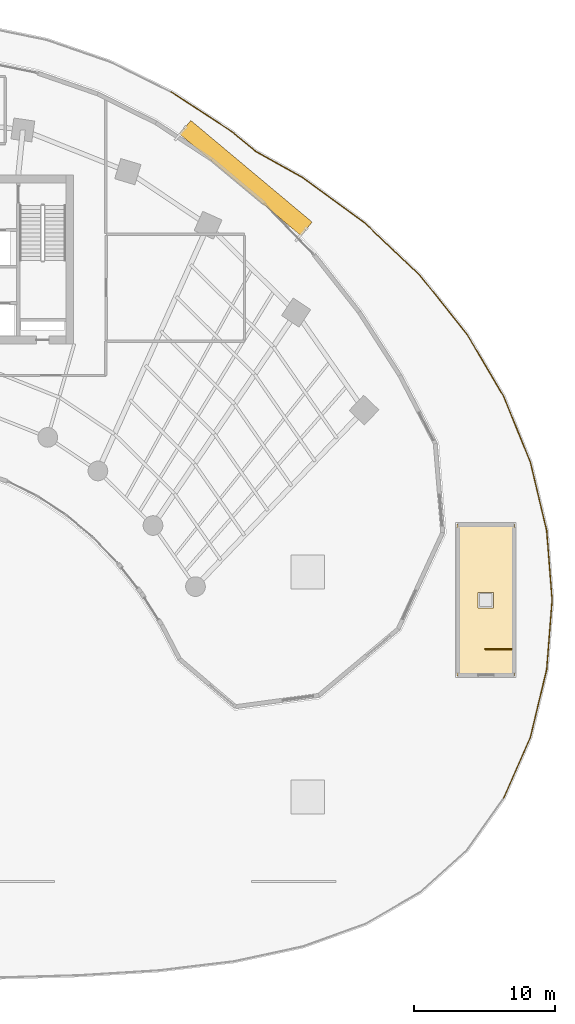
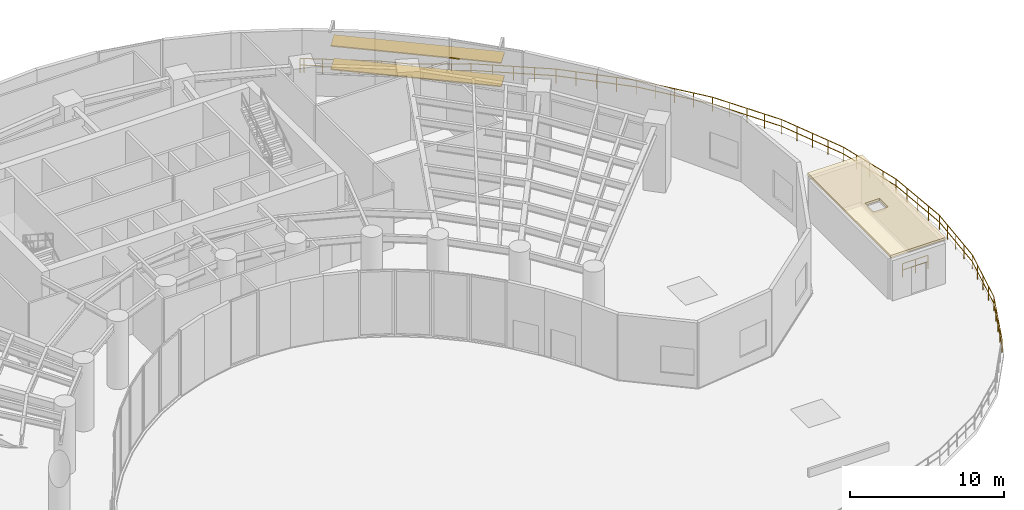
# One storey, part 17 of 17: 3 railings, 2 shading devices, 1 covering.
"""IFC4 building model written with IfcOpenShell, lengths in metres."""

from ifc_helpers import new_model, si_unit, direction, frame, origin, origin_2d, place, context, subcontext, project, spatial, polyline, rectangle, outline, extrude, source, transform, mapped, material, layer, layer_set, material_profile, profile_set, type_object, element, save


model = new_model("IFC4")

# Units and contexts
model_context = context("Model", 3, precision=1e-05, world=origin(), true_north=direction((0.0, 1.0)))
body_context = subcontext(model_context, "Body", "Model", "MODEL_VIEW")
ifc_project = project(units=[si_unit("LENGTHUNIT", "METRE"), si_unit("AREAUNIT", "SQUARE_METRE"), si_unit("VOLUMEUNIT", "CUBIC_METRE"), si_unit("PLANEANGLEUNIT", "RADIAN"), si_unit("MASSUNIT", "GRAM", prefix="KILO")], contexts=[model_context])

# Site, building, storey
site_placement = place(None, origin())
site = spatial("IfcSite", under=ifc_project, at=site_placement, CompositionType="ELEMENT")
building_placement = place(site_placement, origin())
building = spatial("IfcBuilding", under=site, at=building_placement, Name="Breltana Convention Tower", CompositionType="ELEMENT")
storey_placement = place(building_placement, frame((0.0, 0.0, 30.0)))
storey = spatial("IfcBuildingStorey", under=building, at=storey_placement, Name="L05", CompositionType="ELEMENT", Elevation=30.0)

# Covering
ifc_material_1 = material(Name="Waterproof Insulated Bitumen Membrane")
ifc_layer = layer(ifc_material_1, 0.179931640625, Name="Waterproof Insulated Bitumen Membrane")
ifc_layer_set = layer_set([ifc_layer], Name="Waterproof Insulated Bitumen Membrane")
covering_type = type_object("IfcCoveringType", Name="COV-ROOFING-180", PredefinedType="ROOFING", material=ifc_layer_set)
covering_placement = place(storey_placement, frame((0.0, 0.0, 3.39990234375)))
element("IfcCovering", 1, at=covering_placement, inside=storey, type_object=covering_type, Name="L05 ST4 headhouse roof waterproofing", PredefinedType="ROOFING", context=body_context, shape_type="SweptSolid", body=[
    extrude(outline(polyline([(86.60009765625, 36.60009765625), (90.699951171875, 36.60009765625), (90.699951171875, 47.39990234375), (86.60009765625, 47.39990234375), (86.60009765625, 36.60009765625)]), holes=[polyline([(88.10009765625, 41.449951171875), (89.199951171875, 41.449951171875), (89.199951171875, 42.550048828125), (88.10009765625, 42.550048828125), (88.10009765625, 41.449951171875)])]), origin(), (0.0, 0.0, 1.0), 0.18017578125),
])

# Railings
ifc_material_2 = material(Name="Stainless Steel 316L", Category="steel")
railing_type_1 = type_object("IfcRailingType", Name="RL-BALUSTRADE-1150", PredefinedType="BALUSTRADE", material=ifc_material_2)
railing_1_placement = place(storey_placement, frame((75.622802734375, 72.029296875, 0.0)))
element("IfcRailing", 2, at=railing_1_placement, inside=storey, type_object=railing_type_1, Name="L05 perimeter balustrade 1", PredefinedType="BALUSTRADE", context=body_context, shape_type="SweptSolid", body=[
    extrude(rectangle(XDim=0.048095703125, YDim=0.048095703125, at=origin_2d()), frame((0.0, 0.0, 1.1259765625), z_axis=(0.806778248651, -0.590854345422, 0.0), x_axis=(0.590854345422, 0.806778248651, 0.0)), (0.0, 0.0, 1.0), 5.529052734375),
    extrude(rectangle(XDim=0.048095703125, YDim=0.048095703125, at=origin_2d()), frame((0.0, 0.0, 0.597900390625), z_axis=(0.806778248651, -0.590854345422, 0.0), x_axis=(0.590854345422, 0.806778248651, 0.0)), (0.0, 0.0, 1.0), 5.529052734375),
    extrude(rectangle(XDim=0.048095703125, YDim=0.048095703125, at=origin_2d()), frame((4.460693359375, -3.266845703125, 1.1259765625), z_axis=(0.724143306529, -0.6896495281, 0.0), x_axis=(0.6896495281, 0.724143306529, 0.0)), (0.0, 0.0, 1.0), 5.400390625),
    extrude(rectangle(XDim=0.048095703125, YDim=0.048095703125, at=origin_2d()), frame((4.460693359375, -3.266845703125, 0.597900390625), z_axis=(0.724143306529, -0.6896495281, 0.0), x_axis=(0.6896495281, 0.724143306529, 0.0)), (0.0, 0.0, 1.0), 5.400390625),
    extrude(rectangle(XDim=0.048095703125, YDim=0.048095703125, at=origin_2d()), frame((8.371337890625, -6.9912109375, 1.1259765625), z_axis=(0.624757149236, -0.780819124047, 0.0), x_axis=(0.780819124047, 0.624757149236, 0.0)), (0.0, 0.0, 1.0), 5.2734375),
    extrude(rectangle(XDim=0.048095703125, YDim=0.048095703125, at=origin_2d()), frame((8.371337890625, -6.9912109375, 0.597900390625), z_axis=(0.624757149236, -0.780819124047, 0.0), x_axis=(0.780819124047, 0.624757149236, 0.0)), (0.0, 0.0, 1.0), 5.2734375),
    extrude(rectangle(XDim=0.048095703125, YDim=0.048095703125, at=origin_2d()), frame((11.666015625, -11.10888671875, 1.1259765625), z_axis=(0.508411872075, -0.861114027486, 0.0), x_axis=(0.861114027486, 0.508411872075, 0.0)), (0.0, 0.0, 1.0), 5.156982421875),
    extrude(rectangle(XDim=0.048095703125, YDim=0.048095703125, at=origin_2d()), frame((11.666015625, -11.10888671875, 0.597900390625), z_axis=(0.508411872075, -0.861114027486, 0.0), x_axis=(0.861114027486, 0.508411872075, 0.0)), (0.0, 0.0, 1.0), 5.156982421875),
    extrude(rectangle(XDim=0.048095703125, YDim=0.048095703125, at=origin_2d()), frame((14.287841796875, -15.549560546875, 1.1259765625), z_axis=(0.376542700489, -0.92639926312, 0.0), x_axis=(0.92639926312, 0.376542700489, 0.0)), (0.0, 0.0, 1.0), 5.059814453125),
    extrude(rectangle(XDim=0.048095703125, YDim=0.048095703125, at=origin_2d()), frame((14.287841796875, -15.549560546875, 0.597900390625), z_axis=(0.376542700489, -0.92639926312, 0.0), x_axis=(0.92639926312, 0.376542700489, 0.0)), (0.0, 0.0, 1.0), 5.059814453125),
    extrude(rectangle(XDim=0.048095703125, YDim=0.048095703125, at=origin_2d()), frame((16.193115234375, -20.237060546875, 1.1259765625), z_axis=(0.231675650055, -0.972793088571, 0.0), x_axis=(0.972793088571, 0.231675650055, 0.0)), (0.0, 0.0, 1.0), 4.98974609375),
    extrude(rectangle(XDim=0.048095703125, YDim=0.048095703125, at=origin_2d()), frame((16.193115234375, -20.237060546875, 0.597900390625), z_axis=(0.231675650055, -0.972793088571, 0.0), x_axis=(0.972793088571, 0.231675650055, 0.0)), (0.0, 0.0, 1.0), 4.98974609375),
    extrude(rectangle(XDim=0.048095703125, YDim=0.048095703125, at=origin_2d()), frame((17.34912109375, -25.091064453125, 1.1259765625), z_axis=(0.07826808567, -0.996932348139, 0.0), x_axis=(0.996932348139, 0.07826808567, 0.0)), (0.0, 0.0, 1.0), 4.953369140625),
    extrude(rectangle(XDim=0.048095703125, YDim=0.048095703125, at=origin_2d()), frame((17.34912109375, -25.091064453125, 0.597900390625), z_axis=(0.07826808567, -0.996932348139, 0.0), x_axis=(0.996932348139, 0.07826808567, 0.0)), (0.0, 0.0, 1.0), 4.953369140625),
    extrude(rectangle(XDim=0.048095703125, YDim=0.048095703125, at=origin_2d()), frame((17.73681640625, -30.029296875, 1.1259765625), z_axis=(-0.07827193164, -0.996932046188, 0.0), x_axis=(0.996932046188, -0.07827193164, 0.0)), (0.0, 0.0, 1.0), 4.953125),
    extrude(rectangle(XDim=0.048095703125, YDim=0.048095703125, at=origin_2d()), frame((17.73681640625, -30.029296875, 0.597900390625), z_axis=(-0.07827193164, -0.996932046188, 0.0), x_axis=(0.996932046188, -0.07827193164, 0.0)), (0.0, 0.0, 1.0), 4.953125),
    extrude(rectangle(XDim=0.048095703125, YDim=0.048095703125, at=origin_2d()), frame((17.34912109375, -34.96728515625, 1.1259765625), z_axis=(-0.233651142345, -0.972320494323, 0.0), x_axis=(0.972320494323, -0.233651142345, 0.0)), (0.0, 0.0, 1.0), 4.945556640625),
    extrude(rectangle(XDim=0.048095703125, YDim=0.048095703125, at=origin_2d()), frame((17.34912109375, -34.96728515625, 0.597900390625), z_axis=(-0.233651142345, -0.972320494323, 0.0), x_axis=(0.972320494323, -0.233651142345, 0.0)), (0.0, 0.0, 1.0), 4.945556640625),
    extrude(rectangle(XDim=0.048095703125, YDim=0.048095703125, at=origin_2d()), frame((16.193603515625, -39.77587890625, 1.1259765625), z_axis=(-0.402245508859, -0.9155318403, 0.0), x_axis=(0.9155318403, -0.402245508859, 0.0)), (0.0, 0.0, 1.0), 4.729248046875),
    extrude(rectangle(XDim=0.048095703125, YDim=0.048095703125, at=origin_2d()), frame((16.193603515625, -39.77587890625, 0.597900390625), z_axis=(-0.402245508859, -0.9155318403, 0.0), x_axis=(0.9155318403, -0.402245508859, 0.0)), (0.0, 0.0, 1.0), 4.729248046875),
    extrude(rectangle(XDim=0.0419921875, YDim=0.0419921875, at=origin_2d()), origin(), (0.0, 0.0, 1.0), 1.101806640625),
    extrude(rectangle(XDim=0.0419921875, YDim=0.0419921875, at=origin_2d()), frame((1.115234375, -0.816650390625, 0.0)), (0.0, 0.0, 1.0), 1.101806640625),
    extrude(rectangle(XDim=0.0419921875, YDim=0.0419921875, at=origin_2d()), frame((2.23046875, -1.63330078125, 0.0)), (0.0, 0.0, 1.0), 1.101806640625),
    extrude(rectangle(XDim=0.0419921875, YDim=0.0419921875, at=origin_2d()), frame((3.345458984375, -2.4501953125, 0.0)), (0.0, 0.0, 1.0), 1.101806640625),
    extrude(rectangle(XDim=0.0419921875, YDim=0.0419921875, at=origin_2d()), frame((4.460693359375, -3.266845703125, 0.0)), (0.0, 0.0, 1.0), 1.101806640625),
    extrude(rectangle(XDim=0.0419921875, YDim=0.0419921875, at=origin_2d()), frame((5.4384765625, -4.197998046875, 0.0)), (0.0, 0.0, 1.0), 1.101806640625),
    extrude(rectangle(XDim=0.0419921875, YDim=0.0419921875, at=origin_2d()), frame((6.416015625, -5.12890625, 0.0)), (0.0, 0.0, 1.0), 1.101806640625),
    extrude(rectangle(XDim=0.0419921875, YDim=0.0419921875, at=origin_2d()), frame((7.3935546875, -6.06005859375, 0.0)), (0.0, 0.0, 1.0), 1.101806640625),
    extrude(rectangle(XDim=0.0419921875, YDim=0.0419921875, at=origin_2d()), frame((8.371337890625, -6.9912109375, 0.0)), (0.0, 0.0, 1.0), 1.101806640625),
    extrude(rectangle(XDim=0.0419921875, YDim=0.0419921875, at=origin_2d()), frame((9.195068359375, -8.0205078125, 0.0)), (0.0, 0.0, 1.0), 1.101806640625),
    extrude(rectangle(XDim=0.0419921875, YDim=0.0419921875, at=origin_2d()), frame((10.0185546875, -9.050048828125, 0.0)), (0.0, 0.0, 1.0), 1.101806640625),
    extrude(rectangle(XDim=0.0419921875, YDim=0.0419921875, at=origin_2d()), frame((10.84228515625, -10.07958984375, 0.0)), (0.0, 0.0, 1.0), 1.101806640625),
    extrude(rectangle(XDim=0.0419921875, YDim=0.0419921875, at=origin_2d()), frame((11.666015625, -11.10888671875, 0.0)), (0.0, 0.0, 1.0), 1.101806640625),
    extrude(rectangle(XDim=0.0419921875, YDim=0.0419921875, at=origin_2d()), frame((12.321533203125, -12.218994140625, 0.0)), (0.0, 0.0, 1.0), 1.101806640625),
    extrude(rectangle(XDim=0.0419921875, YDim=0.0419921875, at=origin_2d()), frame((12.97705078125, -13.3291015625, 0.0)), (0.0, 0.0, 1.0), 1.101806640625),
    extrude(rectangle(XDim=0.0419921875, YDim=0.0419921875, at=origin_2d()), frame((13.63232421875, -14.439453125, 0.0)), (0.0, 0.0, 1.0), 1.101806640625),
    extrude(rectangle(XDim=0.0419921875, YDim=0.0419921875, at=origin_2d()), frame((14.287841796875, -15.549560546875, 0.0)), (0.0, 0.0, 1.0), 1.101806640625),
    extrude(rectangle(XDim=0.0419921875, YDim=0.0419921875, at=origin_2d()), frame((14.76416015625, -16.721435546875, 0.0)), (0.0, 0.0, 1.0), 1.101806640625),
    extrude(rectangle(XDim=0.0419921875, YDim=0.0419921875, at=origin_2d()), frame((15.240478515625, -17.893310546875, 0.0)), (0.0, 0.0, 1.0), 1.101806640625),
    extrude(rectangle(XDim=0.0419921875, YDim=0.0419921875, at=origin_2d()), frame((15.716796875, -19.065185546875, 0.0)), (0.0, 0.0, 1.0), 1.101806640625),
    extrude(rectangle(XDim=0.0419921875, YDim=0.0419921875, at=origin_2d()), frame((16.193115234375, -20.237060546875, 0.0)), (0.0, 0.0, 1.0), 1.101806640625),
    extrude(rectangle(XDim=0.0419921875, YDim=0.0419921875, at=origin_2d()), frame((16.482177734375, -21.45068359375, 0.0)), (0.0, 0.0, 1.0), 1.101806640625),
    extrude(rectangle(XDim=0.0419921875, YDim=0.0419921875, at=origin_2d()), frame((16.77099609375, -22.6640625, 0.0)), (0.0, 0.0, 1.0), 1.101806640625),
    extrude(rectangle(XDim=0.0419921875, YDim=0.0419921875, at=origin_2d()), frame((17.06005859375, -23.87744140625, 0.0)), (0.0, 0.0, 1.0), 1.101806640625),
    extrude(rectangle(XDim=0.0419921875, YDim=0.0419921875, at=origin_2d()), frame((17.34912109375, -25.091064453125, 0.0)), (0.0, 0.0, 1.0), 1.101806640625),
    extrude(rectangle(XDim=0.0419921875, YDim=0.0419921875, at=origin_2d()), frame((17.446044921875, -26.32568359375, 0.0)), (0.0, 0.0, 1.0), 1.101806640625),
    extrude(rectangle(XDim=0.0419921875, YDim=0.0419921875, at=origin_2d()), frame((17.54296875, -27.56005859375, 0.0)), (0.0, 0.0, 1.0), 1.101806640625),
    extrude(rectangle(XDim=0.0419921875, YDim=0.0419921875, at=origin_2d()), frame((17.639892578125, -28.794677734375, 0.0)), (0.0, 0.0, 1.0), 1.101806640625),
    extrude(rectangle(XDim=0.0419921875, YDim=0.0419921875, at=origin_2d()), frame((17.73681640625, -30.029296875, 0.0)), (0.0, 0.0, 1.0), 1.101806640625),
    extrude(rectangle(XDim=0.0419921875, YDim=0.0419921875, at=origin_2d()), frame((17.639892578125, -31.263671875, 0.0)), (0.0, 0.0, 1.0), 1.101806640625),
    extrude(rectangle(XDim=0.0419921875, YDim=0.0419921875, at=origin_2d()), frame((17.54296875, -32.498291015625, 0.0)), (0.0, 0.0, 1.0), 1.101806640625),
    extrude(rectangle(XDim=0.0419921875, YDim=0.0419921875, at=origin_2d()), frame((17.446044921875, -33.73291015625, 0.0)), (0.0, 0.0, 1.0), 1.101806640625),
    extrude(rectangle(XDim=0.0419921875, YDim=0.0419921875, at=origin_2d()), frame((17.34912109375, -34.96728515625, 0.0)), (0.0, 0.0, 1.0), 1.101806640625),
    extrude(rectangle(XDim=0.0419921875, YDim=0.0419921875, at=origin_2d()), frame((17.060302734375, -36.16943359375, 0.0)), (0.0, 0.0, 1.0), 1.101806640625),
    extrude(rectangle(XDim=0.0419921875, YDim=0.0419921875, at=origin_2d()), frame((16.771484375, -37.37158203125, 0.0)), (0.0, 0.0, 1.0), 1.101806640625),
    extrude(rectangle(XDim=0.0419921875, YDim=0.0419921875, at=origin_2d()), frame((16.482421875, -38.57373046875, 0.0)), (0.0, 0.0, 1.0), 1.101806640625),
    extrude(rectangle(XDim=0.0419921875, YDim=0.0419921875, at=origin_2d()), frame((16.193603515625, -39.77587890625, 0.0)), (0.0, 0.0, 1.0), 1.101806640625),
    extrude(rectangle(XDim=0.0419921875, YDim=0.0419921875, at=origin_2d()), frame((15.718017578125, -40.8583984375, 0.0)), (0.0, 0.0, 1.0), 1.101806640625),
    extrude(rectangle(XDim=0.0419921875, YDim=0.0419921875, at=origin_2d()), frame((15.242431640625, -41.94091796875, 0.0)), (0.0, 0.0, 1.0), 1.101806640625),
    extrude(rectangle(XDim=0.0419921875, YDim=0.0419921875, at=origin_2d()), frame((14.766845703125, -43.023193359375, 0.0)), (0.0, 0.0, 1.0), 1.101806640625),
    extrude(rectangle(XDim=0.0419921875, YDim=0.0419921875, at=origin_2d()), frame((14.291259765625, -44.105712890625, 0.0)), (0.0, 0.0, 1.0), 1.101806640625),
])
railing_2_placement = place(storey_placement, frame((66.2939453125, 78.095703125, 0.0)))
element("IfcRailing", 3, at=railing_2_placement, inside=storey, type_object=railing_type_1, Name="L05 perimeter balustrade 7", PredefinedType="BALUSTRADE", context=body_context, shape_type="SweptSolid", body=[
    extrude(rectangle(XDim=0.048095703125, YDim=0.048095703125, at=origin_2d()), frame((0.0, 0.0, 1.1259765625), z_axis=(0.867815159833, -0.496887158583, 0.0), x_axis=(0.496887158583, 0.867815159833, 0.0)), (0.0, 0.0, 1.0), 0.281005859375),
    extrude(rectangle(XDim=0.048095703125, YDim=0.048095703125, at=origin_2d()), frame((0.0, 0.0, 0.597900390625), z_axis=(0.867815159833, -0.496887158583, 0.0), x_axis=(0.496887158583, 0.867815159833, 0.0)), (0.0, 0.0, 1.0), 0.281005859375),
    extrude(rectangle(XDim=0.048095703125, YDim=0.048095703125, at=origin_2d()), frame((0.243896484375, -0.1396484375, 1.1259765625), z_axis=(0.835956067019, -0.548796368441, 0.0), x_axis=(0.548796368441, 0.835956067019, 0.0)), (0.0, 0.0, 1.0), 4.763671875),
    extrude(rectangle(XDim=0.048095703125, YDim=0.048095703125, at=origin_2d()), frame((0.243896484375, -0.1396484375, 0.597900390625), z_axis=(0.835956067019, -0.548796368441, 0.0), x_axis=(0.548796368441, 0.835956067019, 0.0)), (0.0, 0.0, 1.0), 4.763671875),
    extrude(rectangle(XDim=0.048095703125, YDim=0.048095703125, at=origin_2d()), frame((4.22607421875, -2.75390625, 1.1259765625), z_axis=(0.803508444127, -0.595293356436, 0.0), x_axis=(0.595293356436, 0.803508444127, 0.0)), (0.0, 0.0, 1.0), 0.26611328125),
    extrude(rectangle(XDim=0.048095703125, YDim=0.048095703125, at=origin_2d()), frame((4.22607421875, -2.75390625, 0.597900390625), z_axis=(0.803508444127, -0.595293356436, 0.0), x_axis=(0.595293356436, 0.803508444127, 0.0)), (0.0, 0.0, 1.0), 0.26611328125),
    extrude(rectangle(XDim=0.048095703125, YDim=0.048095703125, at=origin_2d()), frame((4.43994140625, -2.912353515625, 1.1259765625), z_axis=(0.767880081354, -0.640593615844, 0.0), x_axis=(0.640593615844, 0.767880081354, 0.0)), (0.0, 0.0, 1.0), 1.994873046875),
    extrude(rectangle(XDim=0.048095703125, YDim=0.048095703125, at=origin_2d()), frame((4.43994140625, -2.912353515625, 0.597900390625), z_axis=(0.767880081354, -0.640593615844, 0.0), x_axis=(0.640593615844, 0.767880081354, 0.0)), (0.0, 0.0, 1.0), 1.994873046875),
    extrude(rectangle(XDim=0.048095703125, YDim=0.048095703125, at=origin_2d()), frame((5.9716796875, -4.190185546875, 1.1259765625), z_axis=(0.802233221274, -0.59701076932, 0.0), x_axis=(0.59701076932, 0.802233221274, 0.0)), (0.0, 0.0, 1.0), 0.01318359375),
    extrude(rectangle(XDim=0.048095703125, YDim=0.048095703125, at=origin_2d()), frame((5.9716796875, -4.190185546875, 0.597900390625), z_axis=(0.802233221274, -0.59701076932, 0.0), x_axis=(0.59701076932, 0.802233221274, 0.0)), (0.0, 0.0, 1.0), 0.01318359375),
    extrude(rectangle(XDim=0.048095703125, YDim=0.048095703125, at=origin_2d()), frame((5.982177734375, -4.197998046875, 1.1259765625), z_axis=(0.849056603774, -0.528301886792, 0.0), x_axis=(0.528301886792, 0.849056603774, 0.0)), (0.0, 0.0, 1.0), 0.012939453125),
    extrude(rectangle(XDim=0.048095703125, YDim=0.048095703125, at=origin_2d()), frame((5.982177734375, -4.197998046875, 0.597900390625), z_axis=(0.849056603774, -0.528301886792, 0.0), x_axis=(0.528301886792, 0.849056603774, 0.0)), (0.0, 0.0, 1.0), 0.012939453125),
    extrude(rectangle(XDim=0.048095703125, YDim=0.048095703125, at=origin_2d()), frame((5.9931640625, -4.204833984375, 1.1259765625), z_axis=(0.873221104431, -0.48732422757, 0.0), x_axis=(0.48732422757, 0.873221104431, 0.0)), (0.0, 0.0, 1.0), 3.820068359375),
    extrude(rectangle(XDim=0.048095703125, YDim=0.048095703125, at=origin_2d()), frame((5.9931640625, -4.204833984375, 0.597900390625), z_axis=(0.873221104431, -0.48732422757, 0.0), x_axis=(0.48732422757, 0.873221104431, 0.0)), (0.0, 0.0, 1.0), 3.820068359375),
    extrude(rectangle(XDim=0.0419921875, YDim=0.0419921875, at=origin_2d()), origin(), (0.0, 0.0, 1.0), 1.101806640625),
    extrude(rectangle(XDim=0.0419921875, YDim=0.0419921875, at=origin_2d()), frame((0.243896484375, -0.1396484375, 0.0)), (0.0, 0.0, 1.0), 1.101806640625),
    extrude(rectangle(XDim=0.0419921875, YDim=0.0419921875, at=origin_2d()), frame((1.239501953125, -0.793212890625, 0.0)), (0.0, 0.0, 1.0), 1.101806640625),
    extrude(rectangle(XDim=0.0419921875, YDim=0.0419921875, at=origin_2d()), frame((2.23486328125, -1.44677734375, 0.0)), (0.0, 0.0, 1.0), 1.101806640625),
    extrude(rectangle(XDim=0.0419921875, YDim=0.0419921875, at=origin_2d()), frame((3.23046875, -2.100341796875, 0.0)), (0.0, 0.0, 1.0), 1.101806640625),
    extrude(rectangle(XDim=0.0419921875, YDim=0.0419921875, at=origin_2d()), frame((4.22607421875, -2.75390625, 0.0)), (0.0, 0.0, 1.0), 1.101806640625),
    extrude(rectangle(XDim=0.0419921875, YDim=0.0419921875, at=origin_2d()), frame((4.43994140625, -2.912353515625, 0.0)), (0.0, 0.0, 1.0), 1.101806640625),
    extrude(rectangle(XDim=0.0419921875, YDim=0.0419921875, at=origin_2d()), frame((5.205810546875, -3.55126953125, 0.0)), (0.0, 0.0, 1.0), 1.101806640625),
    extrude(rectangle(XDim=0.0419921875, YDim=0.0419921875, at=origin_2d()), frame((5.9716796875, -4.190185546875, 0.0)), (0.0, 0.0, 1.0), 1.101806640625),
    extrude(rectangle(XDim=0.0419921875, YDim=0.0419921875, at=origin_2d()), frame((5.982177734375, -4.197998046875, 0.0)), (0.0, 0.0, 1.0), 1.101806640625),
    extrude(rectangle(XDim=0.0419921875, YDim=0.0419921875, at=origin_2d()), frame((5.9931640625, -4.204833984375, 0.0)), (0.0, 0.0, 1.0), 1.101806640625),
    extrude(rectangle(XDim=0.0419921875, YDim=0.0419921875, at=origin_2d()), frame((7.10498046875, -4.825439453125, 0.0)), (0.0, 0.0, 1.0), 1.101806640625),
    extrude(rectangle(XDim=0.0419921875, YDim=0.0419921875, at=origin_2d()), frame((8.217041015625, -5.44580078125, 0.0)), (0.0, 0.0, 1.0), 1.101806640625),
    extrude(rectangle(XDim=0.0419921875, YDim=0.0419921875, at=origin_2d()), frame((9.328857421875, -6.06640625, 0.0)), (0.0, 0.0, 1.0), 1.101806640625),
])
ifc_material_3 = material(Name="Steel S275 Painted", Category="steel")
railing_type_2 = type_object("IfcRailingType", Name="RL-STAIR-GUARD-1100", PredefinedType="GUARDRAIL", material=ifc_material_3)
railing_3_placement = place(storey_placement, frame((90.5, 38.510009765625, 0.0)))
element("IfcRailing", 4, at=railing_3_placement, inside=storey, type_object=railing_type_2, Name="L05 ST-4 top well guard 1", PredefinedType="GUARDRAIL", context=body_context, shape_type="SweptSolid", body=[
    extrude(rectangle(XDim=0.048095703125, YDim=0.048095703125, at=origin_2d()), frame((0.0, 0.0, 1.076171875), z_axis=(-1.0, 0.0, 0.0), x_axis=(0.0, -1.0, 0.0)), (0.0, 0.0, 1.0), 1.909912109375),
    extrude(rectangle(XDim=0.048095703125, YDim=0.048095703125, at=origin_2d()), frame((0.0, 0.0, 0.572021484375), z_axis=(-1.0, 0.0, 0.0), x_axis=(0.0, -1.0, 0.0)), (0.0, 0.0, 1.0), 1.909912109375),
    extrude(rectangle(XDim=0.0419921875, YDim=0.0419921875, at=origin_2d()), origin(), (0.0, 0.0, 1.0), 1.052001953125),
    extrude(rectangle(XDim=0.0419921875, YDim=0.0419921875, at=origin_2d()), frame((-0.955078125, 0.0, 0.0)), (0.0, 0.0, 1.0), 1.052001953125),
    extrude(rectangle(XDim=0.0419921875, YDim=0.0419921875, at=origin_2d()), frame((-1.909912109375, 0.0, 0.0)), (0.0, 0.0, 1.0), 1.052001953125),
])

# Shading devices
ifc_material_4 = material(Name="Limestone Warm Buff Honed", Category="masonry")
ifc_material_profile = material_profile(ifc_material_4, rectangle(XDim=1.25, YDim=0.090087890625, at=origin_2d()), Name="STN-LVR-1250X90")
ifc_profile_set = profile_set([ifc_material_profile], Name="Limestone Warm Buff Honed")
shading_device_type = type_object("IfcShadingDeviceType", Name="SHD-OUTER-SKIN-LIMESTONE-1250", PredefinedType="JALOUSIE", material=ifc_profile_set)
shared_shape = source(origin(), body_context, "Body", "SweptSolid", [
    extrude(rectangle(XDim=1.25, YDim=0.090087890625, at=origin_2d()), origin(), (0.0, 0.0, 1.0), 11.246337890625),
])
for number, where, z_axis, x_axis, name in (
    (5, (67.28369140625, 75.598388671875, 1.857666015625), (0.766719155588, -0.641982660556, 0.0), (0.641982660556, 0.766719155588, 0.0), "L05 outer skin warm limestone louvre 2.1"),
    (6, (67.28369140625, 75.598388671875, 3.715087890625), (0.766719155588, -0.641982660556, 0.0), (0.641982660556, 0.766719155588, 0.0), "L05 outer skin warm limestone louvre 2.2"),
):
    element("IfcShadingDevice", number, at=place(storey_placement, frame(where, z_axis=z_axis, x_axis=x_axis)), inside=storey, type_object=shading_device_type, Name=name, PredefinedType="JALOUSIE", context=body_context, shape_type="MappedRepresentation", body=[
        mapped(shared_shape, transform((0.0, 0.0, 0.0), scale=1.0)),
    ])

save(model, "model.ifc")
